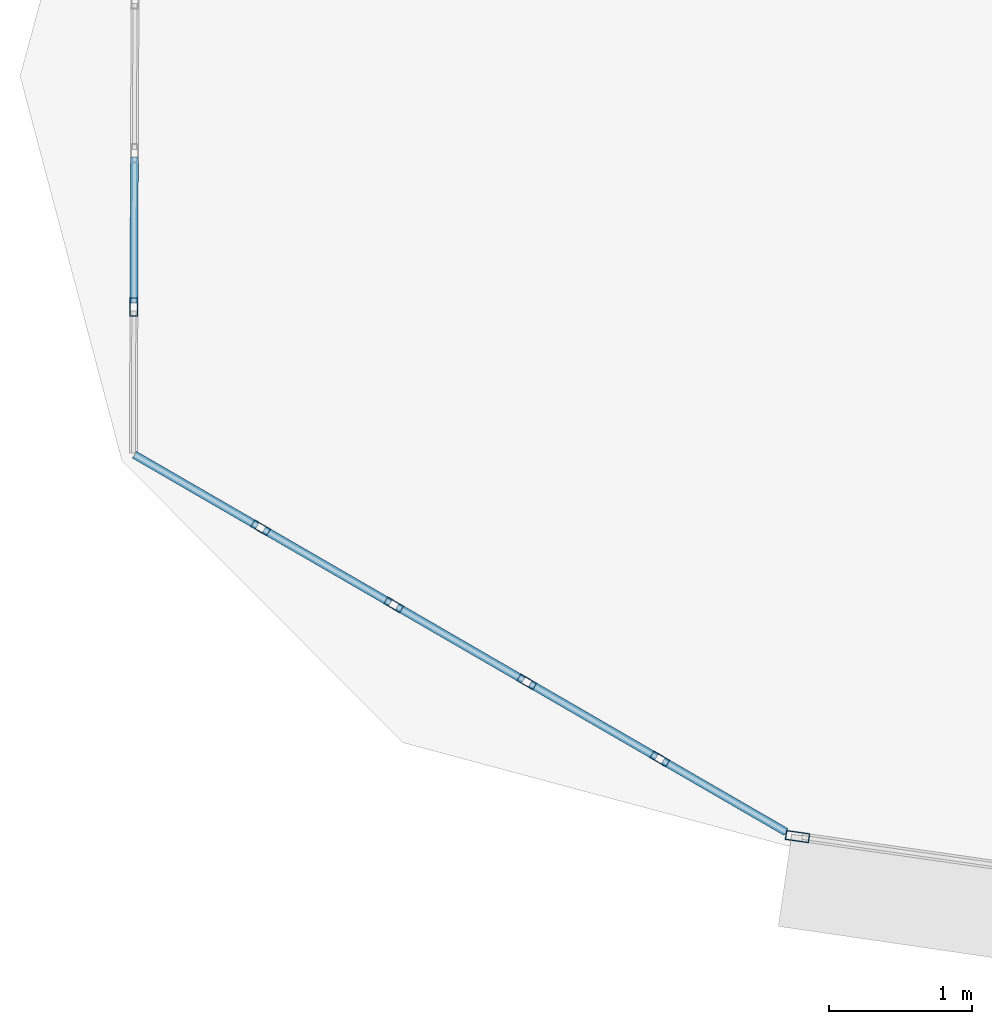
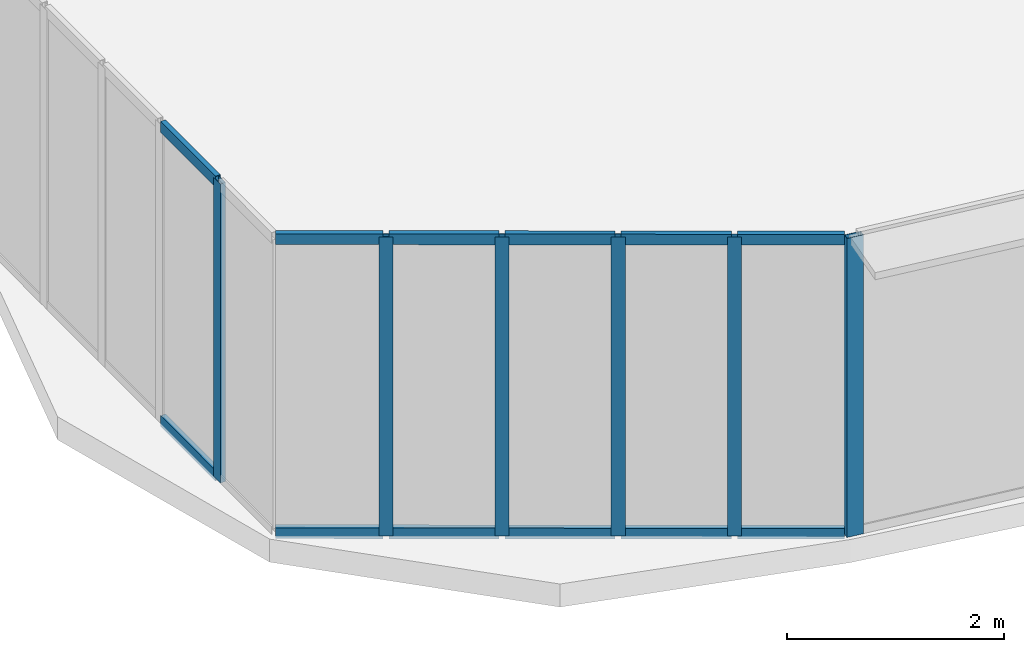
# One storey, part 2 of 42: 18 members, 3 elements without a shape of their own.
"""IFC4 building model written with IfcOpenShell, lengths in metres."""

from ifc_helpers import new_model, si_unit, direction, frame, origin, origin_2d, place, context, subcontext, project, spatial, hollow_rectangle, extrude, source, transform, mapped, material, layer, layer_set, material_profile, profile_set, type_object, element, aggregate, save


model = new_model("IFC4")

# Units and contexts
model_context = context("Model", 3, precision=1e-05, world=origin(), true_north=direction((0.0, 1.0)))
body_context = subcontext(model_context, "Body", "Model", "MODEL_VIEW")
ifc_project = project(units=[si_unit("LENGTHUNIT", "METRE"), si_unit("AREAUNIT", "SQUARE_METRE"), si_unit("VOLUMEUNIT", "CUBIC_METRE"), si_unit("PLANEANGLEUNIT", "RADIAN"), si_unit("MASSUNIT", "GRAM", prefix="KILO"), si_unit("THERMODYNAMICTEMPERATUREUNIT", "KELVIN"), si_unit("POWERUNIT", "WATT")], contexts=[model_context])

# Site, building, storey
site_placement = place(None, origin())
site = spatial("IfcSite", under=ifc_project, at=site_placement, CompositionType="ELEMENT")
building_placement = place(site_placement, origin())
building = spatial("IfcBuilding", under=site, at=building_placement, Name="Yunzhuo Pagoda Commons", CompositionType="ELEMENT")
storey_placement = place(building_placement, frame((0.0, 0.0, 44.919921875)))
storey = spatial("IfcBuildingStorey", under=building, at=storey_placement, Name="L11", CompositionType="ELEMENT", Elevation=44.919921875)

# Curtain wall, member
ifc_material = material(Name="Anodized aluminium 6063-T6", Category="aluminium")
ifc_layer_1 = layer(ifc_material, 0.1650390625)
ifc_layer_set_1 = layer_set([ifc_layer_1], Name="Anodized aluminium 6063-T6")
curtain_wall_type_1 = type_object("IfcCurtainWallType", Name="CW-LOW Low-Zone Ribbon Curtain Wall", PredefinedType="NOTDEFINED", material=ifc_layer_set_1)
curtain_wall_1_placement = place(storey_placement, origin())
curtain_wall_1 = element("IfcCurtainWall", 1, at=curtain_wall_1_placement, inside=storey, type_object=curtain_wall_type_1, Name="L11 curtain wall CW-L11-F1B1", PredefinedType="NOTDEFINED")
ifc_material_profile_1 = material_profile(ifc_material, hollow_rectangle(XDim=0.06494140625, YDim=0.1650390625, WallThickness=0.00390625, at=origin_2d()), Name="Anodized aluminium 6063-T6")
ifc_profile_set_1 = profile_set([ifc_material_profile_1], Name="Anodized aluminium 6063-T6")
member_type_1 = type_object("IfcMemberType", Name="CW-LOW-M Mullion RHS 165x65x4", PredefinedType="MULLION", material=ifc_profile_set_1)
shared_shape_1 = source(origin(), body_context, "Body", "SweptSolid", [
    extrude(hollow_rectangle(XDim=0.06494140625, YDim=0.1650390625, WallThickness=0.00390625, at=origin_2d()), origin(), (0.0, 0.0, 1.0), 3.3701171875),
])
member_1_placement = place(storey_placement, frame((9.364013671875, 14.39697265625, 0.0), z_axis=(0.0, 0.0, 1.0), x_axis=(0.141492753346, 0.989939291447, 0.0)))
member_1 = element("IfcMember", 2, at=member_1_placement, type_object=member_type_1, Name="CW mullion 1", PredefinedType="MULLION", context=body_context, shape_type="MappedRepresentation", body=[
    mapped(shared_shape_1, transform((0.0, 0.0, 0.0), scale=1.0)),
])
aggregate(curtain_wall_1, [member_1])

# Curtain wall, members
ifc_layer_2 = layer(ifc_material, 0.1298828125)
ifc_layer_set_2 = layer_set([ifc_layer_2], Name="Anodized aluminium 6063-T6")
curtain_wall_type_2 = type_object("IfcCurtainWallType", Name="CW-VTX Rounded Corner Curtain Wall", PredefinedType="NOTDEFINED", material=ifc_layer_set_2)
curtain_wall_2_placement = place(storey_placement, origin())
curtain_wall_2 = element("IfcCurtainWall", 3, at=curtain_wall_2_placement, inside=storey, type_object=curtain_wall_type_2, Name="L11 curtain wall CW-L11-VTX1S1", PredefinedType="NOTDEFINED")
ifc_material_profile_2 = material_profile(ifc_material, hollow_rectangle(XDim=0.054931640625, YDim=0.1201171875, WallThickness=0.00341796875, at=origin_2d()), Name="Anodized aluminium 6063-T6")
ifc_profile_set_2 = profile_set([ifc_material_profile_2], Name="Anodized aluminium 6063-T6")
member_type_2 = type_object("IfcMemberType", Name="CW-VTX-T Transom RHS 120x55x3.5", PredefinedType="USERDEFINED", material=ifc_profile_set_2)
shared_shape_2 = source(origin(), body_context, "Body", "SweptSolid", [
    extrude(hollow_rectangle(XDim=0.054931640625, YDim=0.1201171875, WallThickness=0.00341796875, at=origin_2d()), origin(), (0.0, 0.0, 1.0), 1.01806640625),
])
member_2_placement = place(storey_placement, frame((4.73681640625, 19.13818359375, 0.027587890625), z_axis=(-0.00359709903, -0.999993530418, 0.0), x_axis=(0.999993530418, -0.00359709903, 0.0)))
member_2 = element("IfcMember", 4, at=member_2_placement, type_object=member_type_2, Name="CW transom 4.1", ObjectType="TRANSOM", PredefinedType="USERDEFINED", context=body_context, shape_type="MappedRepresentation", body=[
    mapped(shared_shape_2, transform((0.0, 0.0, 0.0), scale=1.0)),
])
member_3_placement = place(storey_placement, frame((4.73681640625, 19.13818359375, 3.342529296875), z_axis=(-0.00359709903, -0.999993530418, 0.0), x_axis=(0.999993530418, -0.00359709903, 0.0)))
member_3 = element("IfcMember", 5, at=member_3_placement, type_object=member_type_2, Name="CW transom 4.2", ObjectType="TRANSOM", PredefinedType="USERDEFINED", context=body_context, shape_type="MappedRepresentation", body=[
    mapped(shared_shape_2, transform((0.0, 0.0, 0.0), scale=1.0)),
])

curtain_wall_3_placement = place(storey_placement, origin())
curtain_wall_3 = element("IfcCurtainWall", 6, at=curtain_wall_3_placement, inside=storey, type_object=curtain_wall_type_2, Name="L11 curtain wall CW-L11-VTX1S2", PredefinedType="NOTDEFINED")
member_4_placement = place(storey_placement, frame((5.6416015625, 16.537841796875, 0.027587890625), z_axis=(0.865470064702, -0.500960644268, 0.0), x_axis=(0.500960644268, 0.865470064702, 0.0)))
member_4 = element("IfcMember", 7, at=member_4_placement, type_object=member_type_2, Name="CW transom 2.1", ObjectType="TRANSOM", PredefinedType="USERDEFINED", context=body_context, shape_type="MappedRepresentation", body=[
    mapped(shared_shape_2, transform((0.0, 0.0, 0.0), scale=1.0)),
])
member_5_placement = place(storey_placement, frame((5.6416015625, 16.537841796875, 3.342529296875), z_axis=(0.865470064702, -0.500960644268, 0.0), x_axis=(0.500960644268, 0.865470064702, 0.0)))
member_5 = element("IfcMember", 8, at=member_5_placement, type_object=member_type_2, Name="CW transom 2.2", ObjectType="TRANSOM", PredefinedType="USERDEFINED", context=body_context, shape_type="MappedRepresentation", body=[
    mapped(shared_shape_2, transform((0.0, 0.0, 0.0), scale=1.0)),
])
member_6_placement = place(storey_placement, frame((7.498779296875, 15.462890625, 0.027587890625), z_axis=(0.865305848027, -0.501244241235, 0.0), x_axis=(0.501244241235, 0.865305848027, 0.0)))
member_6 = element("IfcMember", 9, at=member_6_placement, type_object=member_type_2, Name="CW transom 4.1", ObjectType="TRANSOM", PredefinedType="USERDEFINED", context=body_context, shape_type="MappedRepresentation", body=[
    mapped(shared_shape_2, transform((0.0, 0.0, 0.0), scale=1.0)),
])
member_7_placement = place(storey_placement, frame((7.498779296875, 15.462890625, 3.342529296875), z_axis=(0.865305848027, -0.501244241235, 0.0), x_axis=(0.501244241235, 0.865305848027, 0.0)))
member_7 = element("IfcMember", 10, at=member_7_placement, type_object=member_type_2, Name="CW transom 4.2", ObjectType="TRANSOM", PredefinedType="USERDEFINED", context=body_context, shape_type="MappedRepresentation", body=[
    mapped(shared_shape_2, transform((0.0, 0.0, 0.0), scale=1.0)),
])
shared_shape_3 = source(origin(), body_context, "Body", "SweptSolid", [
    extrude(hollow_rectangle(XDim=0.054931640625, YDim=0.1201171875, WallThickness=0.00341796875, at=origin_2d()), origin(), (0.0, 0.0, 1.0), 0.990234375),
])
member_8_placement = place(storey_placement, frame((8.42724609375, 14.925048828125, 0.027587890625), z_axis=(0.865437539194, -0.501016831807, 0.0), x_axis=(0.501016831807, 0.865437539194, 0.0)))
member_8 = element("IfcMember", 11, at=member_8_placement, type_object=member_type_2, Name="CW transom 5.1", ObjectType="TRANSOM", PredefinedType="USERDEFINED", context=body_context, shape_type="MappedRepresentation", body=[
    mapped(shared_shape_3, transform((0.0, 0.0, 0.0), scale=1.0)),
])
member_9_placement = place(storey_placement, frame((8.42724609375, 14.925048828125, 3.342529296875), z_axis=(0.865437539194, -0.501016831807, 0.0), x_axis=(0.501016831807, 0.865437539194, 0.0)))
member_9 = element("IfcMember", 12, at=member_9_placement, type_object=member_type_2, Name="CW transom 5.2", ObjectType="TRANSOM", PredefinedType="USERDEFINED", context=body_context, shape_type="MappedRepresentation", body=[
    mapped(shared_shape_3, transform((0.0, 0.0, 0.0), scale=1.0)),
])
shared_shape_4 = source(origin(), body_context, "Body", "SweptSolid", [
    extrude(hollow_rectangle(XDim=0.054931640625, YDim=0.1201171875, WallThickness=0.00341796875, at=origin_2d()), origin(), (0.0, 0.0, 1.0), 0.989990234375),
])
member_10_placement = place(storey_placement, frame((4.7373046875, 17.0615234375, 0.027587890625), z_axis=(0.86537562756, -0.501123760388, 0.0), x_axis=(0.501123760388, 0.86537562756, 0.0)))
member_10 = element("IfcMember", 13, at=member_10_placement, type_object=member_type_2, Name="CW transom 1.1", ObjectType="TRANSOM", PredefinedType="USERDEFINED", context=body_context, shape_type="MappedRepresentation", body=[
    mapped(shared_shape_4, transform((0.0, 0.0, 0.0), scale=1.0)),
])
member_11_placement = place(storey_placement, frame((4.7373046875, 17.0615234375, 3.342529296875), z_axis=(0.86537562756, -0.501123760388, 0.0), x_axis=(0.501123760388, 0.86537562756, 0.0)))
member_11 = element("IfcMember", 14, at=member_11_placement, type_object=member_type_2, Name="CW transom 1.2", ObjectType="TRANSOM", PredefinedType="USERDEFINED", context=body_context, shape_type="MappedRepresentation", body=[
    mapped(shared_shape_4, transform((0.0, 0.0, 0.0), scale=1.0)),
])
shared_shape_5 = source(origin(), body_context, "Body", "SweptSolid", [
    extrude(hollow_rectangle(XDim=0.054931640625, YDim=0.1201171875, WallThickness=0.00341796875, at=origin_2d()), origin(), (0.0, 0.0, 1.0), 1.017578125),
])
member_12_placement = place(storey_placement, frame((6.570556640625, 16.000244140625, 0.027587890625), z_axis=(0.86534962412, -0.501168662264, 0.0), x_axis=(0.501168662264, 0.86534962412, 0.0)))
member_12 = element("IfcMember", 15, at=member_12_placement, type_object=member_type_2, Name="CW transom 3.1", ObjectType="TRANSOM", PredefinedType="USERDEFINED", context=body_context, shape_type="MappedRepresentation", body=[
    mapped(shared_shape_5, transform((0.0, 0.0, 0.0), scale=1.0)),
])
member_13_placement = place(storey_placement, frame((6.570556640625, 16.000244140625, 3.342529296875), z_axis=(0.86534962412, -0.501168662264, 0.0), x_axis=(0.501168662264, 0.86534962412, 0.0)))
member_13 = element("IfcMember", 16, at=member_13_placement, type_object=member_type_2, Name="CW transom 3.2", ObjectType="TRANSOM", PredefinedType="USERDEFINED", context=body_context, shape_type="MappedRepresentation", body=[
    mapped(shared_shape_5, transform((0.0, 0.0, 0.0), scale=1.0)),
])

# Member
ifc_material_profile_3 = material_profile(ifc_material, hollow_rectangle(XDim=0.054931640625, YDim=0.1298828125, WallThickness=0.00341796875, at=origin_2d()), Name="Anodized aluminium 6063-T6")
ifc_profile_set_3 = profile_set([ifc_material_profile_3], Name="Anodized aluminium 6063-T6")
member_type_3 = type_object("IfcMemberType", Name="CW-VTX-M Mullion RHS 130x55x3.5", PredefinedType="MULLION", material=ifc_profile_set_3)
shared_shape_6 = source(origin(), body_context, "Body", "SweptSolid", [
    extrude(hollow_rectangle(XDim=0.054931640625, YDim=0.1298828125, WallThickness=0.00341796875, at=origin_2d()), origin(), (0.0, 0.0, 1.0), 3.3701171875),
])
member_14_placement = place(storey_placement, frame((4.733154296875, 18.092529296875, 0.0), z_axis=(0.0, 0.0, 1.0), x_axis=(0.999993595138, -0.003579061808, 0.0)))
member_14 = element("IfcMember", 17, at=member_14_placement, type_object=member_type_3, Name="CW mullion 5", PredefinedType="MULLION", context=body_context, shape_type="MappedRepresentation", body=[
    mapped(shared_shape_6, transform((0.0, 0.0, 0.0), scale=1.0)),
])

aggregate(curtain_wall_2, [member_14, member_2, member_3])

member_15_placement = place(storey_placement, frame((5.617919921875, 16.551513671875, 0.0), z_axis=(0.0, 0.0, 1.0), x_axis=(0.501041414295, 0.865423307498, 0.0)))
member_15 = element("IfcMember", 18, at=member_15_placement, type_object=member_type_3, Name="CW mullion 2", PredefinedType="MULLION", context=body_context, shape_type="MappedRepresentation", body=[
    mapped(shared_shape_6, transform((0.0, 0.0, 0.0), scale=1.0)),
])

member_16_placement = place(storey_placement, frame((6.54638671875, 16.013916015625, 0.0), z_axis=(0.0, 0.0, 1.0), x_axis=(0.501041414295, 0.865423307498, 0.0)))
member_16 = element("IfcMember", 19, at=member_16_placement, type_object=member_type_3, Name="CW mullion 3", PredefinedType="MULLION", context=body_context, shape_type="MappedRepresentation", body=[
    mapped(shared_shape_6, transform((0.0, 0.0, 0.0), scale=1.0)),
])

member_17_placement = place(storey_placement, frame((7.47509765625, 15.476318359375, 0.0), z_axis=(0.0, 0.0, 1.0), x_axis=(0.501041414295, 0.865423307498, 0.0)))
member_17 = element("IfcMember", 20, at=member_17_placement, type_object=member_type_3, Name="CW mullion 4", PredefinedType="MULLION", context=body_context, shape_type="MappedRepresentation", body=[
    mapped(shared_shape_6, transform((0.0, 0.0, 0.0), scale=1.0)),
])

member_18_placement = place(storey_placement, frame((8.4033203125, 14.93896484375, 0.0), z_axis=(0.0, 0.0, 1.0), x_axis=(0.501041414295, 0.865423307498, 0.0)))
member_18 = element("IfcMember", 21, at=member_18_placement, type_object=member_type_3, Name="CW mullion 5", PredefinedType="MULLION", context=body_context, shape_type="MappedRepresentation", body=[
    mapped(shared_shape_6, transform((0.0, 0.0, 0.0), scale=1.0)),
])

aggregate(curtain_wall_3, [member_15, member_16, member_17, member_18, member_10, member_11, member_4, member_5, member_12, member_13, member_6, member_7, member_8, member_9])

save(model, "model.ifc")
